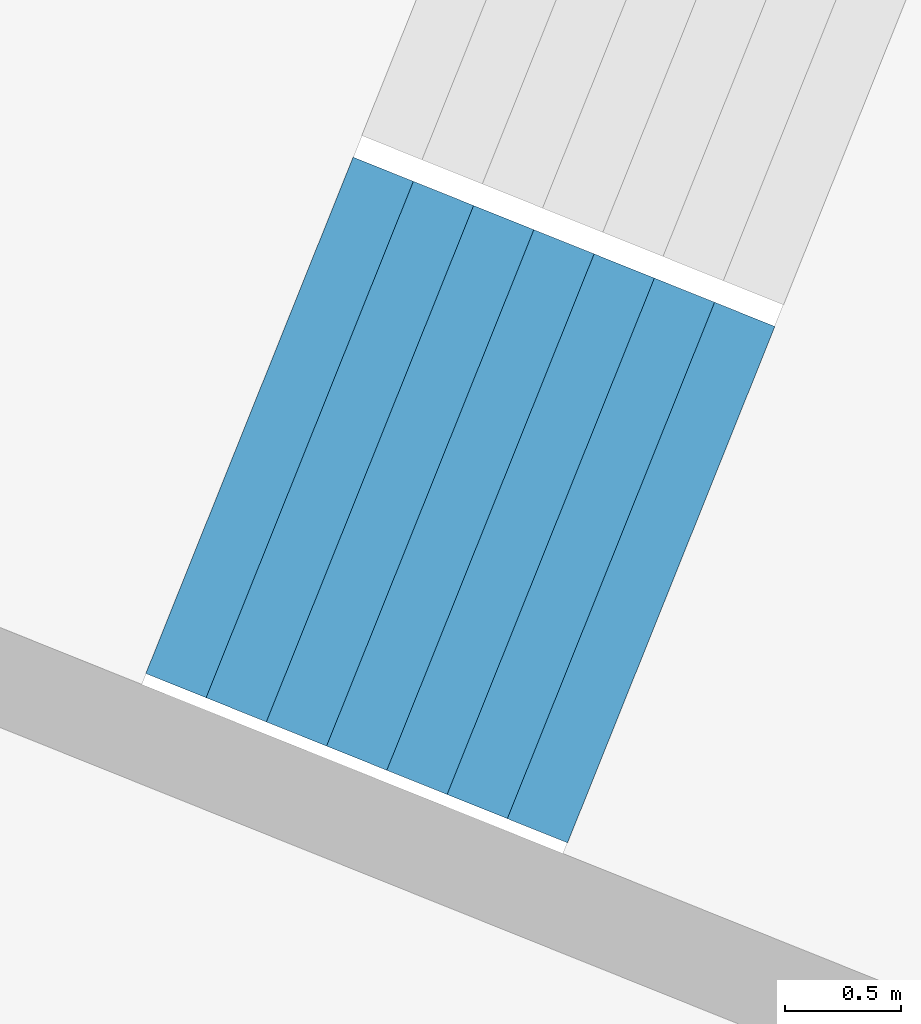
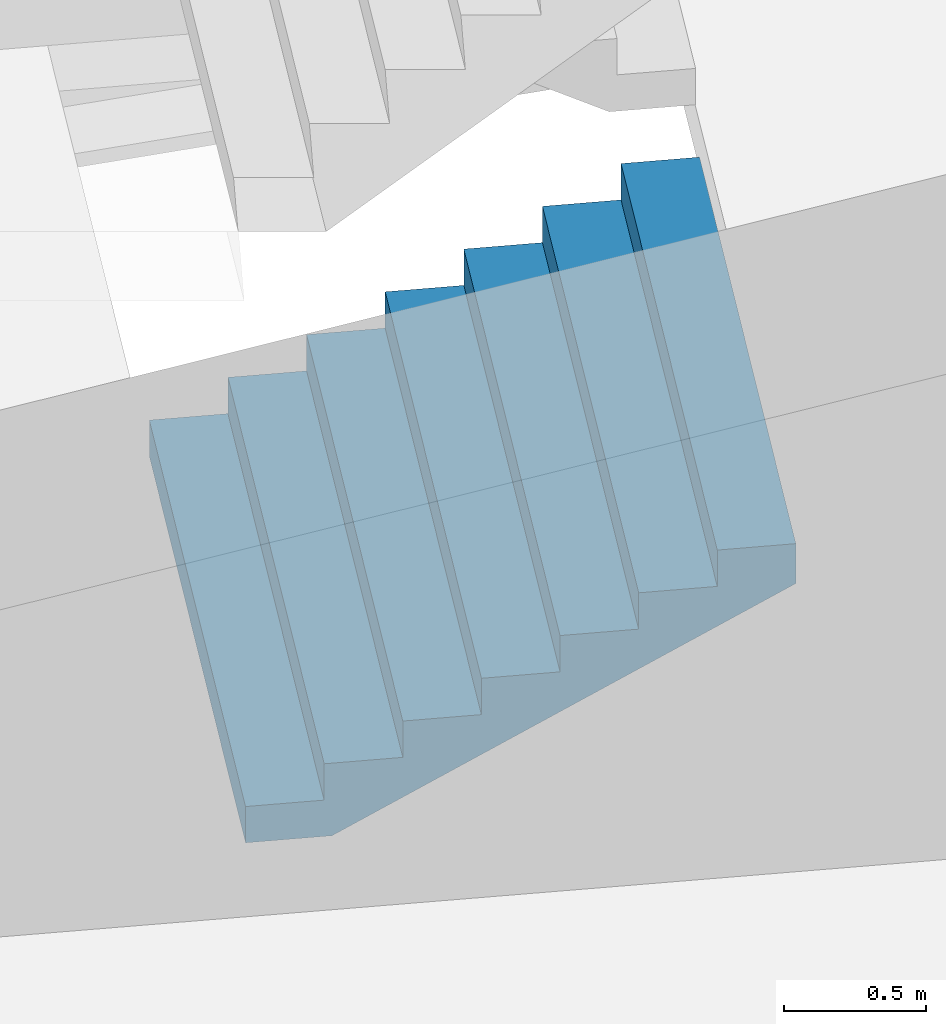
# One storey, part 49 of 73: 1 stair flight, 1 element without a shape of its own.
"""IFC4 building model written with IfcOpenShell, lengths in metres."""

import ifcopenshell
import ifcopenshell.guid

model = None  # the IFC model being written
_history = None  # IfcOwnerHistory: only IFC2X3 demands one
_inside = {}  # id of a spatial element -> (the spatial element, [elements in it])
_under = {}  # id of a project, library or spatial element -> (it, [spatial elements below it])
_declared = {}  # id of a project -> (the project, [libraries it declares])
_typed = {}  # id of a type object -> (the type object, [elements of that type])
_made_of = {}  # id of a material, layer set ... -> (it, [elements and type objects made of it])


def new_model(schema):
    """Start an empty IFC model of exactly this schema.

    Asked for "IFC4X3", IfcOpenShell would pick the latest addendum, in which some entities
    have other attributes; the version numbers below select the first issue.
    IFC2X3 requires an IfcOwnerHistory on every rooted entity: one is made here for all.
    """
    global model, _history
    if schema == "IFC4X3":
        model = ifcopenshell.file(schema_version=(4, 3, 0, 0))
    else:
        model = ifcopenshell.file(schema=schema)
    _inside.clear()
    _under.clear()
    _declared.clear()
    _typed.clear()
    _made_of.clear()
    _history = None
    if model.schema == "IFC2X3":
        org = make("IfcOrganization", Name="unknown")
        user = make(
            "IfcPersonAndOrganization",
            ThePerson=make("IfcPerson", FamilyName="unknown"),
            TheOrganization=org,
        )
        app = make(
            "IfcApplication",
            ApplicationDeveloper=org,
            Version="unknown",
            ApplicationFullName="unknown",
            ApplicationIdentifier="unknown",
        )
        _history = make(
            "IfcOwnerHistory",
            OwningUser=user,
            OwningApplication=app,
            ChangeAction="ADDED",
            CreationDate=0,
        )
    return model


def make(cls, **values):
    """One entity of the class cls with the attributes given. An attribute that is None is left unset."""
    return model.create_entity(
        cls, **{name: value for name, value in values.items() if value is not None}
    )


def rooted(cls, **values):
    """An entity with a GlobalId (a new one), such as an element, a storey or a relation."""
    return make(cls, GlobalId=ifcopenshell.guid.new(), OwnerHistory=_history, **values)


def si_unit(unit_type, name, prefix=None):
    """IfcSIUnit, for example si_unit("LENGTHUNIT", "METRE", prefix="MILLI")."""
    return make("IfcSIUnit", UnitType=unit_type, Prefix=prefix, Name=name)


def assignment(units):
    """IfcUnitAssignment: the units of a project."""
    return None if units is None else make("IfcUnitAssignment", Units=units)


def point(xyz):
    """IfcCartesianPoint."""
    return None if xyz is None else make("IfcCartesianPoint", Coordinates=xyz)


def direction(xyz):
    """IfcDirection."""
    return None if xyz is None else make("IfcDirection", DirectionRatios=xyz)


def frame(location, z_axis=None, x_axis=None):
    """IfcAxis2Placement3D, a coordinate frame: its origin and axes. An axis left out is left unset."""
    return make(
        "IfcAxis2Placement3D",
        Location=point(location),
        Axis=direction(z_axis),
        RefDirection=direction(x_axis),
    )


def origin():
    """The frame at (0, 0, 0) with its axes left unset."""
    return frame((0.0, 0.0, 0.0))


def place(relative_to, where):
    """IfcLocalPlacement: puts the frame where relative to a parent placement (None: the world)."""
    return make(
        "IfcLocalPlacement", PlacementRelTo=relative_to, RelativePlacement=where
    )


def context(
    kind, dimensions, precision=None, world=None, true_north=None, identifier=None
):
    """IfcGeometricRepresentationContext, for example the 3D "Model" context."""
    return make(
        "IfcGeometricRepresentationContext",
        ContextIdentifier=identifier,
        ContextType=kind,
        CoordinateSpaceDimension=dimensions,
        Precision=precision,
        WorldCoordinateSystem=world,
        TrueNorth=true_north,
    )


def subcontext(parent, identifier, kind, view, scale=None):
    """IfcGeometricRepresentationSubContext, for example "Body" below "Model"."""
    return make(
        "IfcGeometricRepresentationSubContext",
        ContextIdentifier=identifier,
        ContextType=kind,
        ParentContext=parent,
        TargetScale=scale,
        TargetView=view,
    )


def project(units=None, contexts=None):
    """IfcProject with its units and contexts."""
    return rooted(
        "IfcProject",
        Name="project",
        RepresentationContexts=contexts,
        UnitsInContext=assignment(units),
    )


def spatial(cls, under=None, at=None, **own):
    """A site, building, storey or space (cls), placed at a placement, below another one or the project."""
    s = rooted(cls, ObjectPlacement=at, **own)
    if under is not None:
        _under.setdefault(under.id(), (under, []))[1].append(s)
    return s


def point_list(points):
    """IfcCartesianPointList2D or 3D."""
    cls = (
        "IfcCartesianPointList2D" if len(points[0]) == 2 else "IfcCartesianPointList3D"
    )
    return make(cls, CoordList=points)


def triangles(points, corners, closed=None, point_numbers=None):
    """IfcTriangulatedFaceSet: each triangle names its three corners, points numbered from 1."""
    return make(
        "IfcTriangulatedFaceSet",
        Coordinates=point_list(points),
        Closed=closed,
        CoordIndex=corners,
        PnIndex=point_numbers,
    )


def shape(context_of_items, identifier, shape_type, items):
    """IfcShapeRepresentation: the items that make up one representation, for example the "Body"."""
    return make(
        "IfcShapeRepresentation",
        ContextOfItems=context_of_items,
        RepresentationIdentifier=identifier,
        RepresentationType=shape_type,
        Items=items,
    )


def material(Name=None, Category=None):
    """IfcMaterial."""
    return make("IfcMaterial", Name=Name, Category=Category)


def made_of(thing, what):
    """Note that an element or type object is made of a material, layer set ...; save() writes the relation."""
    if what is not None:
        _made_of.setdefault(what.id(), (what, []))[1].append(thing)
    return thing


def type_object(cls, material=None, **own):
    """A type object (cls), such as IfcWallType, which elements share."""
    return made_of(rooted(cls, **own), material)


def element(
    cls,
    number,
    at=None,
    inside=None,
    cuts=None,
    type_object=None,
    material=None,
    context=None,
    identifier="Body",
    shape_type=None,
    held_by="IfcProductDefinitionShape",
    body=None,
    shapes=None,
    **own,
):
    """One element of the class cls, such as IfcWall. Its Tag is "e" and its number.

    at: its placement. inside: the storey or other place that contains it. cuts: it is an
    opening in that element (IfcRelVoidsElement). A single representation is given by context,
    identifier, shape_type and body (its items); several are given by shapes. held_by: the class
    of the entity that holds the representations. save() writes the other relations.
    """
    e = rooted(cls, Tag="e%d" % number, ObjectPlacement=at, **own)
    if body is not None:
        shapes = [shape(context, identifier, shape_type, body)]
    if shapes is not None:
        e.Representation = make(held_by, Representations=shapes)
    if inside is not None:
        _inside.setdefault(inside.id(), (inside, []))[1].append(e)
    if cuts is not None:
        rooted(
            "IfcRelVoidsElement", RelatingBuildingElement=cuts, RelatedOpeningElement=e
        )
    if type_object is not None:
        _typed.setdefault(type_object.id(), (type_object, []))[1].append(e)
    return made_of(e, material)


def aggregate(whole, parts):
    """IfcRelAggregates: a whole, such as a stair, and the parts it consists of."""
    return rooted("IfcRelAggregates", RelatingObject=whole, RelatedObjects=parts)


def save(model, path):
    """Write the relations noted so far, then the file.

    IfcRelAggregates (storeys below a building ...), IfcRelContainedInSpatialStructure (elements
    in a storey), IfcRelDefinesByType, IfcRelAssociatesMaterial and IfcRelDeclares: one each for
    every whole, place, type object, material and project.
    """
    for whole, parts in _under.values():
        aggregate(whole, parts)
    for where, things in _inside.values():
        rooted(
            "IfcRelContainedInSpatialStructure",
            RelatedElements=things,
            RelatingStructure=where,
        )
    for kind, things in _typed.values():
        rooted("IfcRelDefinesByType", RelatedObjects=things, RelatingType=kind)
    for what, things in _made_of.values():
        rooted("IfcRelAssociatesMaterial", RelatedObjects=things, RelatingMaterial=what)
    for by, libraries in _declared.values():
        rooted("IfcRelDeclares", RelatingContext=by, RelatedDefinitions=libraries)
    model.write(path)


model = new_model("IFC4")

# Units and contexts
model_context = context("Model", 3, precision=1e-05, world=origin(), true_north=direction((0.0, 1.0)))
body_context = subcontext(model_context, "Body", "Model", "MODEL_VIEW")
ifc_project = project(units=[si_unit("LENGTHUNIT", "METRE"), si_unit("AREAUNIT", "SQUARE_METRE"), si_unit("VOLUMEUNIT", "CUBIC_METRE"), si_unit("PLANEANGLEUNIT", "RADIAN"), si_unit("MASSUNIT", "GRAM", prefix="KILO")], contexts=[model_context])

# Site, building, storey
site_placement = place(None, origin())
site = spatial("IfcSite", under=ifc_project, at=site_placement, CompositionType="ELEMENT")
building_placement = place(site_placement, origin())
building = spatial("IfcBuilding", under=site, at=building_placement, Name="Lantaw Convention Tower", CompositionType="ELEMENT")
storey_placement = place(building_placement, frame((0.0, 0.0, 22.0)))
storey = spatial("IfcBuildingStorey", under=building, at=storey_placement, Name="L03", CompositionType="ELEMENT", Elevation=22.0)

# Stair, stair flight
ifc_material = material(Name="Concrete C35/45", Category="concrete")
stair_type = type_object("IfcStairType", Name="Exit stair 2400 riser 156.25 in 4 flights", PredefinedType="HALF_TURN_STAIR", material=ifc_material)
stair_placement = place(storey_placement, origin())
stair = element("IfcStair", 1, at=stair_placement, inside=storey, type_object=stair_type, Name="Podium exit stair P12 L03", PredefinedType="HALF_TURN_STAIR")
stair_flight_type = type_object("IfcStairFlightType", Name="Stair flight 2400 riser 156.25", PredefinedType="STRAIGHT", material=ifc_material)
stair_flight_placement = place(storey_placement, frame((29.08642578125, -13.0234375, 0.0), z_axis=(0.0, 0.0, 1.0), x_axis=(0.928015818512, -0.372540790506, 0.0)))
stair_flight = element("IfcStairFlight", 2, at=stair_flight_placement, type_object=stair_flight_type, Name="P12 flight 1", NumberOfRisers=8, NumberOfTreads=7, PredefinedType="STRAIGHT", RiserHeight=0.15625, TreadLength=0.28, context=body_context, shape_type="Tessellation", body=[
    triangles([(0.0, 1.199951171875, 0.0), (0.0, 1.199951171875, 0.15625), (0.28, 1.199951171875, 0.0), (0.28, 1.199951171875, 0.15625), (0.28, 1.199951171875, 0.3125), (0.3076200632058044, 1.199951171875, 0.0), (0.3076200632058044, 1.199951171875, 0.3125), (0.56, 1.199951171875, 0.14083701830033238), (0.56, 1.199951171875, 0.3125), (0.56, 1.199951171875, 0.46875), (0.8400000000000001, 1.199951171875, 0.29708701830033235), (0.8400000000000001, 1.199951171875, 0.46875), (0.8400000000000001, 1.199951171875, 0.625), (1.12, 1.199951171875, 0.45333701830033235), (1.12, 1.199951171875, 0.625), (1.12, 1.199951171875, 0.78125), (1.4000000000000001, 1.199951171875, 0.6095870183003324), (1.4000000000000001, 1.199951171875, 0.78125), (1.4000000000000001, 1.199951171875, 0.9375), (1.6800000000000002, 1.199951171875, 0.7658370183003324), (1.6800000000000002, 1.199951171875, 0.9375), (1.6800000000000002, 1.199951171875, 1.09375), (1.9600000000000002, 1.199951171875, 0.9220870183003324), (1.9600000000000002, 1.199951171875, 1.09375), (0.0, -1.199951171875, 0.0), (0.0, -1.199951171875, 0.15625), (0.28, -1.199951171875, 0.0), (0.28, -1.199951171875, 0.15625), (0.28, -1.199951171875, 0.3125), (0.3076200632058044, -1.199951171875, 0.0), (0.3076200632058044, -1.199951171875, 0.3125), (0.56, -1.199951171875, 0.14083701830033238), (0.56, -1.199951171875, 0.3125), (0.56, -1.199951171875, 0.46875), (0.8400000000000001, -1.199951171875, 0.29708701830033235), (0.8400000000000001, -1.199951171875, 0.46875), (0.8400000000000001, -1.199951171875, 0.625), (1.12, -1.199951171875, 0.45333701830033235), (1.12, -1.199951171875, 0.625), (1.12, -1.199951171875, 0.78125), (1.4000000000000001, -1.199951171875, 0.6095870183003324), (1.4000000000000001, -1.199951171875, 0.78125), (1.4000000000000001, -1.199951171875, 0.9375), (1.6800000000000002, -1.199951171875, 0.7658370183003324), (1.6800000000000002, -1.199951171875, 0.9375), (1.6800000000000002, -1.199951171875, 1.09375), (1.9600000000000002, -1.199951171875, 0.9220870183003324), (1.9600000000000002, -1.199951171875, 1.09375), (0.0, 0.239990234375, 0.15625), (0.0, 0.239990234375, 0.0), (0.0, 0.1919921875, 0.15625), (0.0, 0.1919921875, 0.0), (0.0, 0.143994140625, 0.15625), (0.0, 0.143994140625, 0.0), (0.0, 0.09599609375, 0.15625), (0.0, 0.09599609375, 0.0), (0.0, 0.047998046875, 0.15625), (0.0, 0.047998046875, 0.0), (0.0, 0.0, 0.15625), (0.0, 0.0, 0.0), (0.0, -0.047998046875, 0.15625), (0.0, -0.047998046875, 0.0), (0.0, -0.09599609375, 0.15625), (0.0, -0.09599609375, 0.0), (0.0, -0.143994140625, 0.15625), (0.0, -0.143994140625, 0.0), (0.0, -0.1919921875, 0.15625), (0.0, -0.1919921875, 0.0), (0.0, -0.239990234375, 0.15625), (0.0, -0.239990234375, 0.0), (0.28, 0.239990234375, 0.3125), (0.28, 0.239990234375, 0.15625), (0.28, 0.1919921875, 0.3125), (0.28, 0.1919921875, 0.15625), (0.28, 0.143994140625, 0.3125), (0.28, 0.143994140625, 0.15625), (0.28, 0.09599609375, 0.3125), (0.28, 0.09599609375, 0.15625), (0.28, 0.047998046875, 0.3125), (0.28, 0.047998046875, 0.15625), (0.28, 0.0, 0.3125), (0.28, 0.0, 0.15625), (0.28, -0.047998046875, 0.3125), (0.28, -0.047998046875, 0.15625), (0.28, -0.09599609375, 0.3125), (0.28, -0.09599609375, 0.15625), (0.28, -0.143994140625, 0.3125), (0.28, -0.143994140625, 0.15625), (0.28, -0.1919921875, 0.3125), (0.28, -0.1919921875, 0.15625), (0.28, -0.239990234375, 0.3125), (0.28, -0.239990234375, 0.15625), (0.56, 0.239990234375, 0.46875), (0.56, 0.239990234375, 0.3125), (0.56, 0.1919921875, 0.46875), (0.56, 0.1919921875, 0.3125), (0.56, 0.143994140625, 0.46875), (0.56, 0.143994140625, 0.3125), (0.56, 0.09599609375, 0.46875), (0.56, 0.09599609375, 0.3125), (0.56, 0.047998046875, 0.46875), (0.56, 0.047998046875, 0.3125), (0.56, 0.0, 0.46875), (0.56, 0.0, 0.3125), (0.56, -0.047998046875, 0.46875), (0.56, -0.047998046875, 0.3125), (0.56, -0.09599609375, 0.46875), (0.56, -0.09599609375, 0.3125), (0.56, -0.143994140625, 0.46875), (0.56, -0.143994140625, 0.3125), (0.56, -0.1919921875, 0.46875), (0.56, -0.1919921875, 0.3125), (0.56, -0.239990234375, 0.46875), (0.56, -0.239990234375, 0.3125), (0.8400000000000001, 0.239990234375, 0.625), (0.8400000000000001, 0.239990234375, 0.46875), (0.8400000000000001, 0.1919921875, 0.625), (0.8400000000000001, 0.1919921875, 0.46875), (0.8400000000000001, 0.143994140625, 0.625), (0.8400000000000001, 0.143994140625, 0.46875), (0.8400000000000001, 0.09599609375, 0.625), (0.8400000000000001, 0.09599609375, 0.46875), (0.8400000000000001, 0.047998046875, 0.625), (0.8400000000000001, 0.047998046875, 0.46875), (0.8400000000000001, 0.0, 0.625), (0.8400000000000001, 0.0, 0.46875), (0.8400000000000001, -0.047998046875, 0.625), (0.8400000000000001, -0.047998046875, 0.46875), (0.8400000000000001, -0.09599609375, 0.625), (0.8400000000000001, -0.09599609375, 0.46875), (0.8400000000000001, -0.143994140625, 0.625), (0.8400000000000001, -0.143994140625, 0.46875), (0.8400000000000001, -0.1919921875, 0.625), (0.8400000000000001, -0.1919921875, 0.46875), (0.8400000000000001, -0.239990234375, 0.625), (0.8400000000000001, -0.239990234375, 0.46875), (1.12, 0.239990234375, 0.78125), (1.12, 0.239990234375, 0.625), (1.12, 0.1919921875, 0.78125), (1.12, 0.1919921875, 0.625), (1.12, 0.143994140625, 0.78125), (1.12, 0.143994140625, 0.625), (1.12, 0.09599609375, 0.78125), (1.12, 0.09599609375, 0.625), (1.12, 0.047998046875, 0.78125), (1.12, 0.047998046875, 0.625), (1.12, 0.0, 0.78125), (1.12, 0.0, 0.625), (1.12, -0.047998046875, 0.78125), (1.12, -0.047998046875, 0.625), (1.12, -0.09599609375, 0.78125), (1.12, -0.09599609375, 0.625), (1.12, -0.143994140625, 0.78125), (1.12, -0.143994140625, 0.625), (1.12, -0.1919921875, 0.78125), (1.12, -0.1919921875, 0.625), (1.12, -0.239990234375, 0.78125), (1.12, -0.239990234375, 0.625), (1.4000000000000001, 0.239990234375, 0.9375), (1.4000000000000001, 0.239990234375, 0.78125), (1.4000000000000001, 0.1919921875, 0.9375), (1.4000000000000001, 0.1919921875, 0.78125), (1.4000000000000001, 0.143994140625, 0.9375), (1.4000000000000001, 0.143994140625, 0.78125), (1.4000000000000001, 0.09599609375, 0.9375), (1.4000000000000001, 0.09599609375, 0.78125), (1.4000000000000001, 0.047998046875, 0.9375), (1.4000000000000001, 0.047998046875, 0.78125), (1.4000000000000001, 0.0, 0.9375), (1.4000000000000001, 0.0, 0.78125), (1.4000000000000001, -0.047998046875, 0.9375), (1.4000000000000001, -0.047998046875, 0.78125), (1.4000000000000001, -0.09599609375, 0.9375), (1.4000000000000001, -0.09599609375, 0.78125), (1.4000000000000001, -0.143994140625, 0.9375), (1.4000000000000001, -0.143994140625, 0.78125), (1.4000000000000001, -0.1919921875, 0.9375), (1.4000000000000001, -0.1919921875, 0.78125), (1.4000000000000001, -0.239990234375, 0.9375), (1.4000000000000001, -0.239990234375, 0.78125), (1.6800000000000002, 0.239990234375, 1.09375), (1.6800000000000002, 0.239990234375, 0.9375), (1.6800000000000002, 0.1919921875, 1.09375), (1.6800000000000002, 0.1919921875, 0.9375), (1.6800000000000002, 0.143994140625, 1.09375), (1.6800000000000002, 0.143994140625, 0.9375), (1.6800000000000002, 0.09599609375, 1.09375), (1.6800000000000002, 0.09599609375, 0.9375), (1.6800000000000002, 0.047998046875, 1.09375), (1.6800000000000002, 0.047998046875, 0.9375), (1.6800000000000002, 0.0, 1.09375), (1.6800000000000002, 0.0, 0.9375), (1.6800000000000002, -0.047998046875, 1.09375), (1.6800000000000002, -0.047998046875, 0.9375), (1.6800000000000002, -0.09599609375, 1.09375), (1.6800000000000002, -0.09599609375, 0.9375), (1.6800000000000002, -0.143994140625, 1.09375), (1.6800000000000002, -0.143994140625, 0.9375), (1.6800000000000002, -0.1919921875, 1.09375), (1.6800000000000002, -0.1919921875, 0.9375), (1.6800000000000002, -0.239990234375, 1.09375), (1.6800000000000002, -0.239990234375, 0.9375), (0.3076200632058044, 0.239990234375, 0.3125), (0.3076200632058044, 0.1919921875, 0.3125), (0.3076200632058044, 0.143994140625, 0.3125), (0.3076200632058044, 0.09599609375, 0.3125), (0.3076200632058044, 0.047998046875, 0.3125), (0.3076200632058044, 0.0, 0.3125), (0.3076200632058044, -0.047998046875, 0.3125), (0.3076200632058044, -0.09599609375, 0.3125), (0.3076200632058044, -0.143994140625, 0.3125), (0.3076200632058044, -0.1919921875, 0.3125), (0.3076200632058044, -0.239990234375, 0.3125), (1.9600000000000002, 0.239990234375, 1.09375), (1.9600000000000002, 0.1919921875, 1.09375), (1.9600000000000002, 0.143994140625, 1.09375), (1.9600000000000002, 0.09599609375, 1.09375), (1.9600000000000002, 0.047998046875, 1.09375), (1.9600000000000002, 0.0, 1.09375), (1.9600000000000002, -0.047998046875, 1.09375), (1.9600000000000002, -0.09599609375, 1.09375), (1.9600000000000002, -0.143994140625, 1.09375), (1.9600000000000002, -0.1919921875, 1.09375), (1.9600000000000002, -0.239990234375, 1.09375), (1.9600000000000002, 0.239990234375, 0.9220870183003324), (1.9600000000000002, 0.1919921875, 0.9220870183003324), (1.9600000000000002, 0.143994140625, 0.9220870183003324), (1.9600000000000002, 0.09599609375, 0.9220870183003324), (1.9600000000000002, 0.047998046875, 0.9220870183003324), (1.9600000000000002, 0.0, 0.9220870183003324), (1.9600000000000002, -0.047998046875, 0.9220870183003324), (1.9600000000000002, -0.09599609375, 0.9220870183003324), (1.9600000000000002, -0.143994140625, 0.9220870183003324), (1.9600000000000002, -0.1919921875, 0.9220870183003324), (1.9600000000000002, -0.239990234375, 0.9220870183003324), (1.6800000000000002, 0.239990234375, 0.7658370183003324), (1.6800000000000002, 0.1919921875, 0.7658370183003324), (1.6800000000000002, 0.143994140625, 0.7658370183003324), (1.6800000000000002, 0.09599609375, 0.7658370183003324), (1.6800000000000002, 0.047998046875, 0.7658370183003324), (1.6800000000000002, 0.0, 0.7658370183003324), (1.6800000000000002, -0.047998046875, 0.7658370183003324), (1.6800000000000002, -0.09599609375, 0.7658370183003324), (1.6800000000000002, -0.143994140625, 0.7658370183003324), (1.6800000000000002, -0.1919921875, 0.7658370183003324), (1.6800000000000002, -0.239990234375, 0.7658370183003324), (1.4000000000000001, 0.239990234375, 0.6095870183003324), (1.4000000000000001, 0.1919921875, 0.6095870183003324), (1.4000000000000001, 0.143994140625, 0.6095870183003324), (1.4000000000000001, 0.09599609375, 0.6095870183003324), (1.4000000000000001, 0.047998046875, 0.6095870183003324), (1.4000000000000001, 0.0, 0.6095870183003324), (1.4000000000000001, -0.047998046875, 0.6095870183003324), (1.4000000000000001, -0.09599609375, 0.6095870183003324), (1.4000000000000001, -0.143994140625, 0.6095870183003324), (1.4000000000000001, -0.1919921875, 0.6095870183003324), (1.4000000000000001, -0.239990234375, 0.6095870183003324), (1.12, 0.239990234375, 0.45333701830033235), (1.12, 0.1919921875, 0.45333701830033235), (1.12, 0.143994140625, 0.45333701830033235), (1.12, 0.09599609375, 0.45333701830033235), (1.12, 0.047998046875, 0.45333701830033235), (1.12, 0.0, 0.45333701830033235), (1.12, -0.047998046875, 0.45333701830033235), (1.12, -0.09599609375, 0.45333701830033235), (1.12, -0.143994140625, 0.45333701830033235), (1.12, -0.1919921875, 0.45333701830033235), (1.12, -0.239990234375, 0.45333701830033235), (0.8400000000000001, 0.239990234375, 0.29708701830033235), (0.8400000000000001, 0.1919921875, 0.29708701830033235), (0.8400000000000001, 0.143994140625, 0.29708701830033235), (0.8400000000000001, 0.09599609375, 0.29708701830033235), (0.8400000000000001, 0.047998046875, 0.29708701830033235), (0.8400000000000001, 0.0, 0.29708701830033235), (0.8400000000000001, -0.047998046875, 0.29708701830033235), (0.8400000000000001, -0.09599609375, 0.29708701830033235), (0.8400000000000001, -0.143994140625, 0.29708701830033235), (0.8400000000000001, -0.1919921875, 0.29708701830033235), (0.8400000000000001, -0.239990234375, 0.29708701830033235), (0.56, 0.239990234375, 0.14083701830033238), (0.56, 0.1919921875, 0.14083701830033238), (0.56, 0.143994140625, 0.14083701830033238), (0.56, 0.09599609375, 0.14083701830033238), (0.56, 0.047998046875, 0.14083701830033238), (0.56, 0.0, 0.14083701830033238), (0.56, -0.047998046875, 0.14083701830033238), (0.56, -0.09599609375, 0.14083701830033238), (0.56, -0.143994140625, 0.14083701830033238), (0.56, -0.1919921875, 0.14083701830033238), (0.56, -0.239990234375, 0.14083701830033238), (0.3076200632058044, 0.239990234375, 0.0), (0.3076200632058044, 0.1919921875, 0.0), (0.3076200632058044, 0.143994140625, 0.0), (0.3076200632058044, 0.09599609375, 0.0), (0.3076200632058044, 0.047998046875, 0.0), (0.3076200632058044, 0.0, 0.0), (0.3076200632058044, -0.047998046875, 0.0), (0.3076200632058044, -0.09599609375, 0.0), (0.3076200632058044, -0.143994140625, 0.0), (0.3076200632058044, -0.1919921875, 0.0), (0.3076200632058044, -0.239990234375, 0.0), (0.28, 0.239990234375, 0.0), (0.28, 0.1919921875, 0.0), (0.28, 0.143994140625, 0.0), (0.28, 0.09599609375, 0.0), (0.28, 0.047998046875, 0.0), (0.28, 0.0, 0.0), (0.28, -0.047998046875, 0.0), (0.28, -0.09599609375, 0.0), (0.28, -0.143994140625, 0.0), (0.28, -0.1919921875, 0.0), (0.28, -0.239990234375, 0.0)], [[1, 4, 3], [1, 2, 4], [3, 4, 6], [4, 7, 6], [4, 5, 7], [6, 9, 8], [6, 7, 9], [8, 9, 11], [9, 12, 11], [9, 10, 12], [11, 12, 14], [12, 15, 14], [12, 13, 15], [14, 15, 17], [15, 18, 17], [15, 16, 18], [17, 18, 20], [18, 21, 20], [18, 19, 21], [20, 21, 23], [21, 24, 23], [21, 22, 24], [25, 27, 28], [25, 28, 26], [27, 30, 28], [28, 30, 31], [28, 31, 29], [30, 32, 33], [30, 33, 31], [32, 35, 33], [33, 35, 36], [33, 36, 34], [35, 38, 36], [36, 38, 39], [36, 39, 37], [38, 41, 39], [39, 41, 42], [39, 42, 40], [41, 44, 42], [42, 44, 45], [42, 45, 43], [44, 47, 45], [45, 47, 48], [45, 48, 46], [1, 49, 2], [1, 50, 49], [50, 51, 49], [50, 52, 51], [52, 53, 51], [52, 54, 53], [54, 55, 53], [54, 56, 55], [56, 57, 55], [56, 58, 57], [58, 59, 57], [58, 60, 59], [60, 61, 59], [60, 62, 61], [62, 63, 61], [62, 64, 63], [64, 65, 63], [64, 66, 65], [66, 67, 65], [66, 68, 67], [68, 69, 67], [68, 70, 69], [70, 26, 69], [70, 25, 26], [4, 71, 5], [4, 72, 71], [72, 73, 71], [72, 74, 73], [74, 75, 73], [74, 76, 75], [76, 77, 75], [76, 78, 77], [78, 79, 77], [78, 80, 79], [80, 81, 79], [80, 82, 81], [82, 83, 81], [82, 84, 83], [84, 85, 83], [84, 86, 85], [86, 87, 85], [86, 88, 87], [88, 89, 87], [88, 90, 89], [90, 91, 89], [90, 92, 91], [92, 29, 91], [92, 28, 29], [9, 93, 10], [9, 94, 93], [94, 95, 93], [94, 96, 95], [96, 97, 95], [96, 98, 97], [98, 99, 97], [98, 100, 99], [100, 101, 99], [100, 102, 101], [102, 103, 101], [102, 104, 103], [104, 105, 103], [104, 106, 105], [106, 107, 105], [106, 108, 107], [108, 109, 107], [108, 110, 109], [110, 111, 109], [110, 112, 111], [112, 113, 111], [112, 114, 113], [114, 34, 113], [114, 33, 34], [12, 115, 13], [12, 116, 115], [116, 117, 115], [116, 118, 117], [118, 119, 117], [118, 120, 119], [120, 121, 119], [120, 122, 121], [122, 123, 121], [122, 124, 123], [124, 125, 123], [124, 126, 125], [126, 127, 125], [126, 128, 127], [128, 129, 127], [128, 130, 129], [130, 131, 129], [130, 132, 131], [132, 133, 131], [132, 134, 133], [134, 135, 133], [134, 136, 135], [136, 37, 135], [136, 36, 37], [15, 137, 16], [15, 138, 137], [138, 139, 137], [138, 140, 139], [140, 141, 139], [140, 142, 141], [142, 143, 141], [142, 144, 143], [144, 145, 143], [144, 146, 145], [146, 147, 145], [146, 148, 147], [148, 149, 147], [148, 150, 149], [150, 151, 149], [150, 152, 151], [152, 153, 151], [152, 154, 153], [154, 155, 153], [154, 156, 155], [156, 157, 155], [156, 158, 157], [158, 40, 157], [158, 39, 40], [18, 159, 19], [18, 160, 159], [160, 161, 159], [160, 162, 161], [162, 163, 161], [162, 164, 163], [164, 165, 163], [164, 166, 165], [166, 167, 165], [166, 168, 167], [168, 169, 167], [168, 170, 169], [170, 171, 169], [170, 172, 171], [172, 173, 171], [172, 174, 173], [174, 175, 173], [174, 176, 175], [176, 177, 175], [176, 178, 177], [178, 179, 177], [178, 180, 179], [180, 43, 179], [180, 42, 43], [21, 181, 22], [21, 182, 181], [182, 183, 181], [182, 184, 183], [184, 185, 183], [184, 186, 185], [186, 187, 185], [186, 188, 187], [188, 189, 187], [188, 190, 189], [190, 191, 189], [190, 192, 191], [192, 193, 191], [192, 194, 193], [194, 195, 193], [194, 196, 195], [196, 197, 195], [196, 198, 197], [198, 199, 197], [198, 200, 199], [200, 201, 199], [200, 202, 201], [202, 46, 201], [202, 45, 46], [2, 72, 4], [2, 49, 72], [49, 74, 72], [49, 51, 74], [51, 76, 74], [51, 53, 76], [53, 78, 76], [53, 55, 78], [55, 80, 78], [55, 57, 80], [57, 82, 80], [57, 59, 82], [59, 84, 82], [59, 61, 84], [61, 86, 84], [61, 63, 86], [63, 88, 86], [63, 65, 88], [65, 90, 88], [65, 67, 90], [67, 92, 90], [67, 69, 92], [69, 28, 92], [69, 26, 28], [5, 203, 7], [5, 71, 203], [71, 204, 203], [71, 73, 204], [73, 205, 204], [73, 75, 205], [75, 206, 205], [75, 77, 206], [77, 207, 206], [77, 79, 207], [79, 208, 207], [79, 81, 208], [81, 209, 208], [81, 83, 209], [83, 210, 209], [83, 85, 210], [85, 211, 210], [85, 87, 211], [87, 212, 211], [87, 89, 212], [89, 213, 212], [89, 91, 213], [91, 31, 213], [91, 29, 31], [7, 94, 9], [7, 203, 94], [203, 96, 94], [203, 204, 96], [204, 98, 96], [204, 205, 98], [205, 100, 98], [205, 206, 100], [206, 102, 100], [206, 207, 102], [207, 104, 102], [207, 208, 104], [208, 106, 104], [208, 209, 106], [209, 108, 106], [209, 210, 108], [210, 110, 108], [210, 211, 110], [211, 112, 110], [211, 212, 112], [212, 114, 112], [212, 213, 114], [213, 33, 114], [213, 31, 33], [10, 116, 12], [10, 93, 116], [93, 118, 116], [93, 95, 118], [95, 120, 118], [95, 97, 120], [97, 122, 120], [97, 99, 122], [99, 124, 122], [99, 101, 124], [101, 126, 124], [101, 103, 126], [103, 128, 126], [103, 105, 128], [105, 130, 128], [105, 107, 130], [107, 132, 130], [107, 109, 132], [109, 134, 132], [109, 111, 134], [111, 136, 134], [111, 113, 136], [113, 36, 136], [113, 34, 36], [13, 138, 15], [13, 115, 138], [115, 140, 138], [115, 117, 140], [117, 142, 140], [117, 119, 142], [119, 144, 142], [119, 121, 144], [121, 146, 144], [121, 123, 146], [123, 148, 146], [123, 125, 148], [125, 150, 148], [125, 127, 150], [127, 152, 150], [127, 129, 152], [129, 154, 152], [129, 131, 154], [131, 156, 154], [131, 133, 156], [133, 158, 156], [133, 135, 158], [135, 39, 158], [135, 37, 39], [16, 160, 18], [16, 137, 160], [137, 162, 160], [137, 139, 162], [139, 164, 162], [139, 141, 164], [141, 166, 164], [141, 143, 166], [143, 168, 166], [143, 145, 168], [145, 170, 168], [145, 147, 170], [147, 172, 170], [147, 149, 172], [149, 174, 172], [149, 151, 174], [151, 176, 174], [151, 153, 176], [153, 178, 176], [153, 155, 178], [155, 180, 178], [155, 157, 180], [157, 42, 180], [157, 40, 42], [19, 182, 21], [19, 159, 182], [159, 184, 182], [159, 161, 184], [161, 186, 184], [161, 163, 186], [163, 188, 186], [163, 165, 188], [165, 190, 188], [165, 167, 190], [167, 192, 190], [167, 169, 192], [169, 194, 192], [169, 171, 194], [171, 196, 194], [171, 173, 196], [173, 198, 196], [173, 175, 198], [175, 200, 198], [175, 177, 200], [177, 202, 200], [177, 179, 202], [179, 45, 202], [179, 43, 45], [22, 214, 24], [22, 181, 214], [181, 215, 214], [181, 183, 215], [183, 216, 215], [183, 185, 216], [185, 217, 216], [185, 187, 217], [187, 218, 217], [187, 189, 218], [189, 219, 218], [189, 191, 219], [191, 220, 219], [191, 193, 220], [193, 221, 220], [193, 195, 221], [195, 222, 221], [195, 197, 222], [197, 223, 222], [197, 199, 223], [199, 224, 223], [199, 201, 224], [201, 48, 224], [201, 46, 48], [24, 225, 23], [24, 214, 225], [214, 226, 225], [214, 215, 226], [215, 227, 226], [215, 216, 227], [216, 228, 227], [216, 217, 228], [217, 229, 228], [217, 218, 229], [218, 230, 229], [218, 219, 230], [219, 231, 230], [219, 220, 231], [220, 232, 231], [220, 221, 232], [221, 233, 232], [221, 222, 233], [222, 234, 233], [222, 223, 234], [223, 235, 234], [223, 224, 235], [224, 47, 235], [224, 48, 47], [23, 236, 20], [23, 225, 236], [225, 237, 236], [225, 226, 237], [226, 238, 237], [226, 227, 238], [227, 239, 238], [227, 228, 239], [228, 240, 239], [228, 229, 240], [229, 241, 240], [229, 230, 241], [230, 242, 241], [230, 231, 242], [231, 243, 242], [231, 232, 243], [232, 244, 243], [232, 233, 244], [233, 245, 244], [233, 234, 245], [234, 246, 245], [234, 235, 246], [235, 44, 246], [235, 47, 44], [20, 247, 17], [20, 236, 247], [236, 248, 247], [236, 237, 248], [237, 249, 248], [237, 238, 249], [238, 250, 249], [238, 239, 250], [239, 251, 250], [239, 240, 251], [240, 252, 251], [240, 241, 252], [241, 253, 252], [241, 242, 253], [242, 254, 253], [242, 243, 254], [243, 255, 254], [243, 244, 255], [244, 256, 255], [244, 245, 256], [245, 257, 256], [245, 246, 257], [246, 41, 257], [246, 44, 41], [17, 258, 14], [17, 247, 258], [247, 259, 258], [247, 248, 259], [248, 260, 259], [248, 249, 260], [249, 261, 260], [249, 250, 261], [250, 262, 261], [250, 251, 262], [251, 263, 262], [251, 252, 263], [252, 264, 263], [252, 253, 264], [253, 265, 264], [253, 254, 265], [254, 266, 265], [254, 255, 266], [255, 267, 266], [255, 256, 267], [256, 268, 267], [256, 257, 268], [257, 38, 268], [257, 41, 38], [14, 269, 11], [14, 258, 269], [258, 270, 269], [258, 259, 270], [259, 271, 270], [259, 260, 271], [260, 272, 271], [260, 261, 272], [261, 273, 272], [261, 262, 273], [262, 274, 273], [262, 263, 274], [263, 275, 274], [263, 264, 275], [264, 276, 275], [264, 265, 276], [265, 277, 276], [265, 266, 277], [266, 278, 277], [266, 267, 278], [267, 279, 278], [267, 268, 279], [268, 35, 279], [268, 38, 35], [11, 280, 8], [11, 269, 280], [269, 281, 280], [269, 270, 281], [270, 282, 281], [270, 271, 282], [271, 283, 282], [271, 272, 283], [272, 284, 283], [272, 273, 284], [273, 285, 284], [273, 274, 285], [274, 286, 285], [274, 275, 286], [275, 287, 286], [275, 276, 287], [276, 288, 287], [276, 277, 288], [277, 289, 288], [277, 278, 289], [278, 290, 289], [278, 279, 290], [279, 32, 290], [279, 35, 32], [8, 291, 6], [8, 280, 291], [280, 292, 291], [280, 281, 292], [281, 293, 292], [281, 282, 293], [282, 294, 293], [282, 283, 294], [283, 295, 294], [283, 284, 295], [284, 296, 295], [284, 285, 296], [285, 297, 296], [285, 286, 297], [286, 298, 297], [286, 287, 298], [287, 299, 298], [287, 288, 299], [288, 300, 299], [288, 289, 300], [289, 301, 300], [289, 290, 301], [290, 30, 301], [290, 32, 30], [6, 302, 3], [6, 291, 302], [291, 303, 302], [291, 292, 303], [292, 304, 303], [292, 293, 304], [293, 305, 304], [293, 294, 305], [294, 306, 305], [294, 295, 306], [295, 307, 306], [295, 296, 307], [296, 308, 307], [296, 297, 308], [297, 309, 308], [297, 298, 309], [298, 310, 309], [298, 299, 310], [299, 311, 310], [299, 300, 311], [300, 312, 311], [300, 301, 312], [301, 27, 312], [301, 30, 27], [3, 50, 1], [3, 302, 50], [302, 52, 50], [302, 303, 52], [303, 54, 52], [303, 304, 54], [304, 56, 54], [304, 305, 56], [305, 58, 56], [305, 306, 58], [306, 60, 58], [306, 307, 60], [307, 62, 60], [307, 308, 62], [308, 64, 62], [308, 309, 64], [309, 66, 64], [309, 310, 66], [310, 68, 66], [310, 311, 68], [311, 70, 68], [311, 312, 70], [312, 25, 70], [312, 27, 25]], closed=True),
])
aggregate(stair, [stair_flight])

save(model, "model.ifc")
